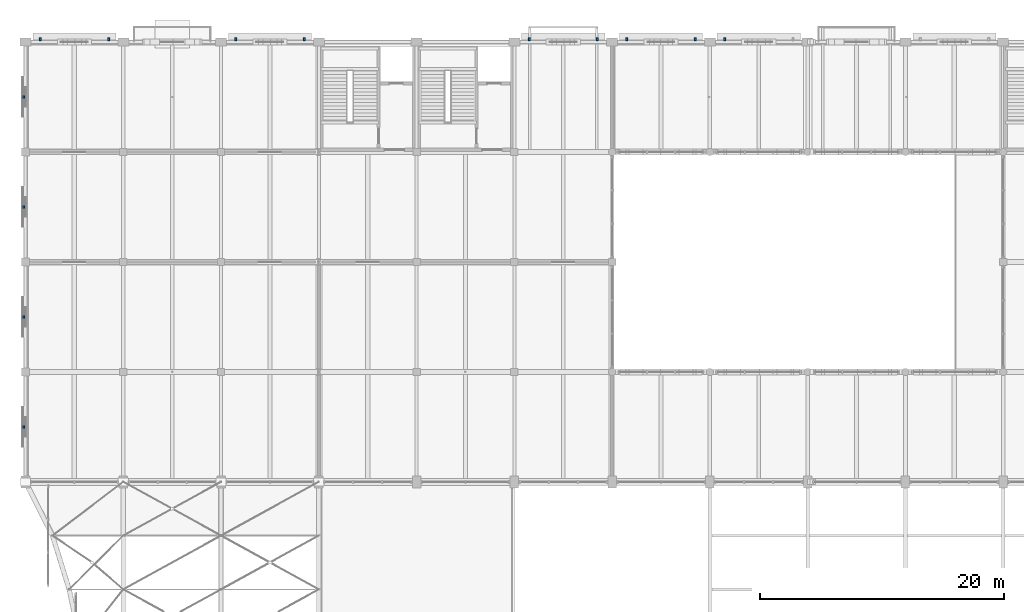
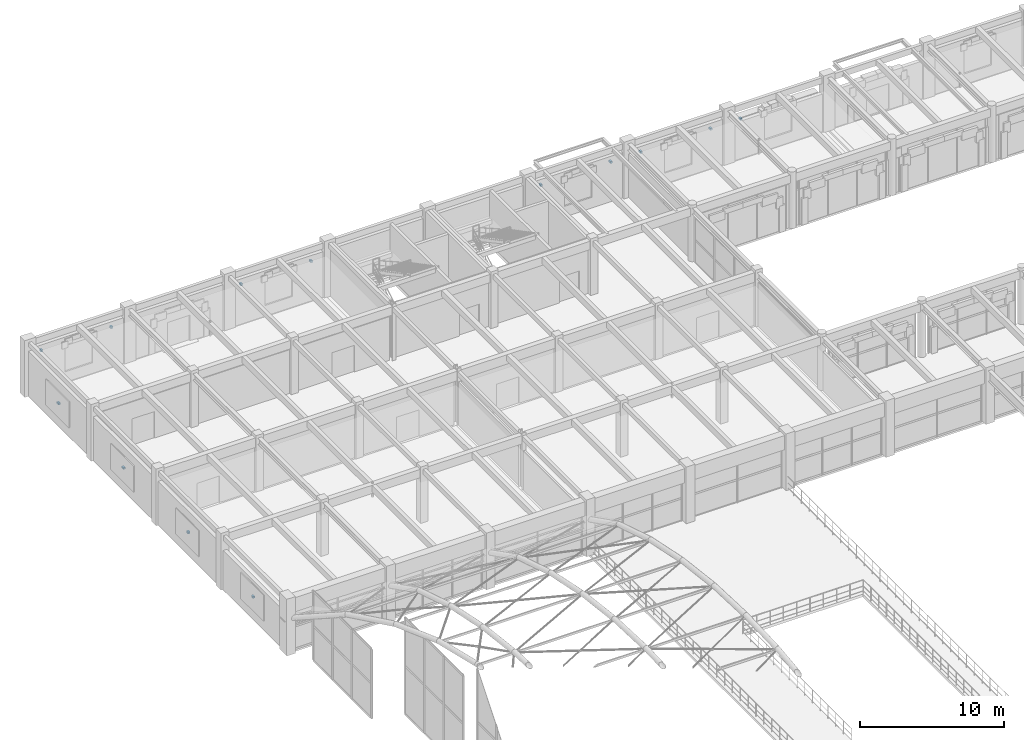
# One storey, part 130 of 144: 13 discrete accessories.
"""IFC4 building model written with IfcOpenShell, lengths in metres."""

from ifc_helpers import new_model, si_unit, direction, frame, origin, origin_2d, place, context, subcontext, project, spatial, rectangle, extrude, material, layer, layer_set, type_object, element, save


model = new_model("IFC4")

# Units and contexts
model_context = context("Model", 3, precision=1e-05, world=origin(), true_north=direction((0.0, 1.0)))
body_context = subcontext(model_context, "Body", "Model", "MODEL_VIEW")
ifc_project = project(units=[si_unit("LENGTHUNIT", "METRE"), si_unit("AREAUNIT", "SQUARE_METRE"), si_unit("VOLUMEUNIT", "CUBIC_METRE"), si_unit("PLANEANGLEUNIT", "RADIAN"), si_unit("MASSUNIT", "GRAM", prefix="KILO")], contexts=[model_context])

# Site, building, storey
site_placement = place(None, origin())
site = spatial("IfcSite", under=ifc_project, at=site_placement, CompositionType="ELEMENT")
building_placement = place(site_placement, origin())
building = spatial("IfcBuilding", under=site, at=building_placement, Name="Varnabhumi Central Station", CompositionType="ELEMENT")
storey_placement = place(building_placement, frame((0.0, 0.0, 4.800048828125)))
storey = spatial("IfcBuildingStorey", under=building, at=storey_placement, Name="L01", CompositionType="ELEMENT", Elevation=4.800048828125)

# Discrete accessories
ifc_material = material(Name="Structural steel E350", Category="steel")
ifc_layer = layer(ifc_material, 0.159912109375, Name="Structural steel E350", Category="steel")
ifc_layer_set = layer_set([ifc_layer], Name="Structural steel E350")
discrete_accessory_type = type_object("IfcDiscreteAccessoryType", Name="ACC-SHADE-BRKT", PredefinedType="BRACKET", material=ifc_layer_set)
for number, where, z_axis, x_axis, name in (
    (1, (1.199951171875, 116.22998046875, 3.02001953125), (0.0, 0.0, 1.0), (1.0, 0.0, 0.0), "Chajja Bracket N-L01-1L"),
    (2, (6.800048828125, 116.22998046875, 3.02001953125), (0.0, 0.0, 1.0), (1.0, 0.0, 0.0), "Chajja Bracket N-L01-1R"),
    (3, (17.199951171875, 116.22998046875, 3.02001953125), (0.0, 0.0, 1.0), (1.0, 0.0, 0.0), "Chajja Bracket N-L01-3L"),
    (4, (22.800048828125, 116.22998046875, 3.02001953125), (0.0, 0.0, 1.0), (1.0, 0.0, 0.0), "Chajja Bracket N-L01-3R"),
    (5, (41.199951171875, 116.22998046875, 3.02001953125), (0.0, 0.0, 1.0), (1.0, 0.0, 0.0), "Chajja Bracket N-L01-6L"),
    (6, (46.800048828125, 116.22998046875, 3.02001953125), (0.0, 0.0, 1.0), (1.0, 0.0, 0.0), "Chajja Bracket N-L01-6R"),
    (7, (49.199951171875, 116.22998046875, 3.02001953125), (0.0, 0.0, 1.0), (1.0, 0.0, 0.0), "Chajja Bracket N-L01-7L"),
    (8, (54.800048828125, 116.22998046875, 3.02001953125), (0.0, 0.0, 1.0), (1.0, 0.0, 0.0), "Chajja Bracket N-L01-7R"),
    (9, (57.199951171875, 116.22998046875, 3.02001953125), (0.0, 0.0, 1.0), (1.0, 0.0, 0.0), "Chajja Bracket N-L01-8L"),
    (10, (-0.14990234375, 84.5, 1.8701171875), (0.0, 0.0, 1.0), (1.0, 0.0, 0.0), "Celosia Bracket N-L01-E1"),
    (11, (-0.14990234375, 93.5, 1.8701171875), (0.0, 0.0, 1.0), (1.0, 0.0, 0.0), "Celosia Bracket N-L01-E2"),
    (12, (-0.14990234375, 102.5, 1.8701171875), (0.0, 0.0, 1.0), (1.0, 0.0, 0.0), "Celosia Bracket N-L01-E3"),
    (13, (-0.14990234375, 111.5, 1.8701171875), (0.0, 0.0, 1.0), (1.0, 0.0, 0.0), "Celosia Bracket N-L01-E4"),
):
    element("IfcDiscreteAccessory", number, at=place(storey_placement, frame(where, z_axis=z_axis, x_axis=x_axis)), inside=storey, type_object=discrete_accessory_type, Name=name, PredefinedType="BRACKET", context=body_context, shape_type="SweptSolid", body=[
        extrude(rectangle(XDim=0.159912109375, YDim=0.239990234375, at=origin_2d()), origin(), (0.0, 0.0, 1.0), 0.159912109375),
    ])

save(model, "model.ifc")
